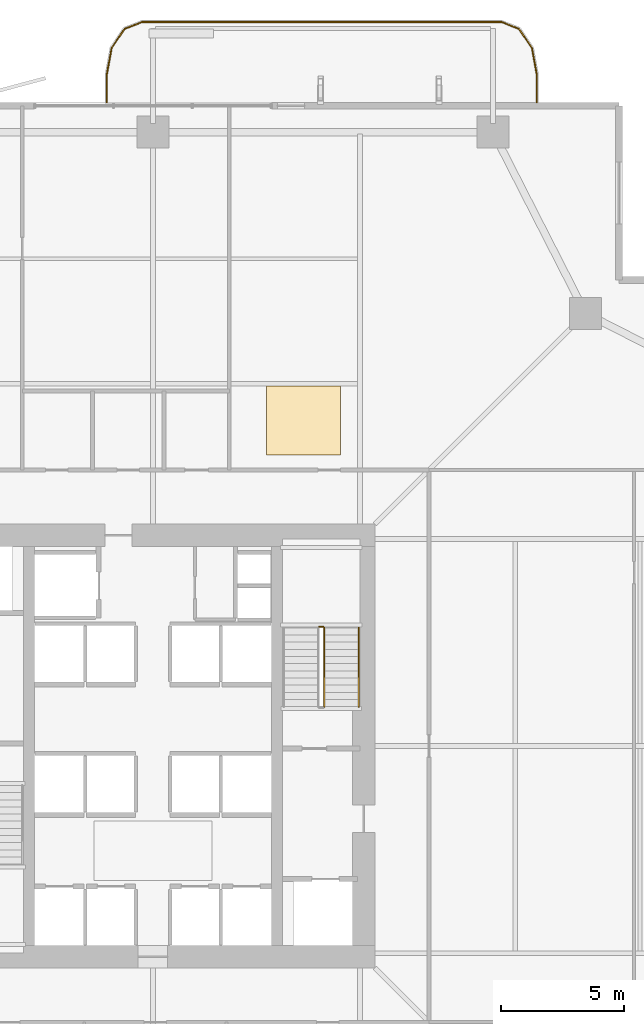
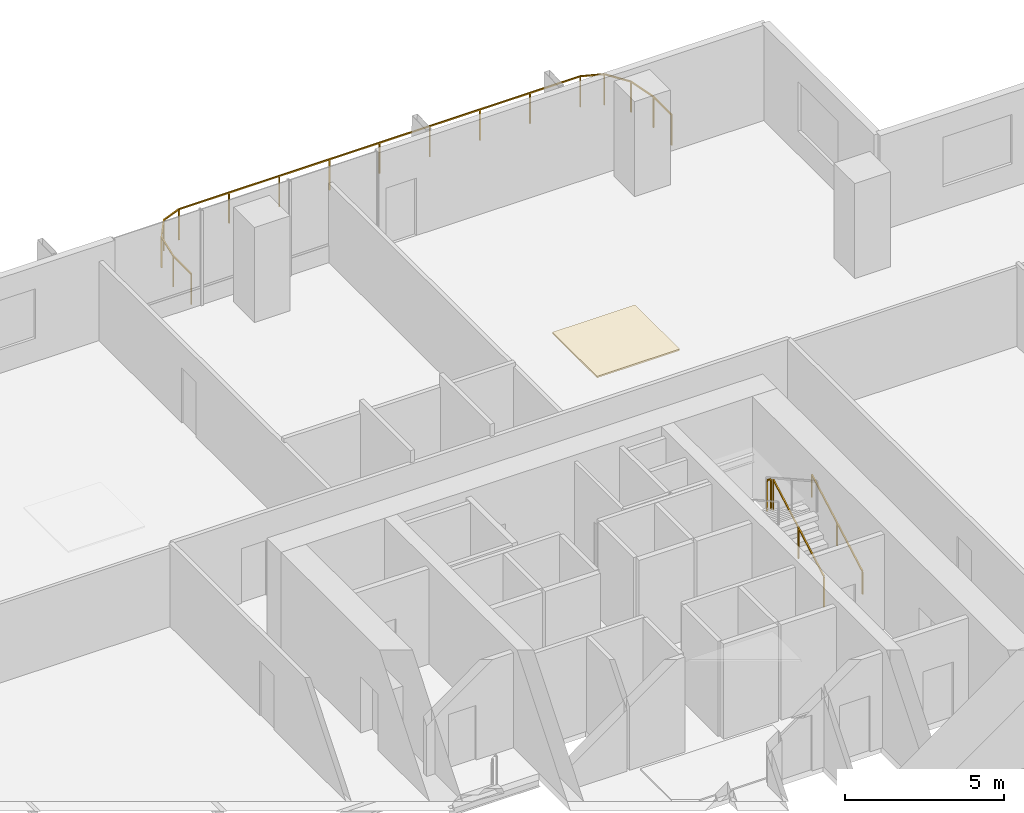
# One storey, part 23 of 23: 4 railings, 1 covering.
"""IFC4 building model written with IfcOpenShell, lengths in metres."""

from ifc_helpers import new_model, si_unit, direction, frame, origin, origin_2d, place, context, subcontext, project, spatial, polyline, rectangle, outline, extrude, material, layer, layer_set, type_object, element, save


model = new_model("IFC4")

# Units and contexts
model_context = context("Model", 3, precision=1e-05, world=origin(), true_north=direction((0.0, 1.0)))
body_context = subcontext(model_context, "Body", "Model", "MODEL_VIEW")
ifc_project = project(units=[si_unit("LENGTHUNIT", "METRE"), si_unit("AREAUNIT", "SQUARE_METRE"), si_unit("VOLUMEUNIT", "CUBIC_METRE"), si_unit("PLANEANGLEUNIT", "RADIAN"), si_unit("MASSUNIT", "GRAM", prefix="KILO")], contexts=[model_context])

# Site, building, storey
site_placement = place(None, origin())
site = spatial("IfcSite", under=ifc_project, at=site_placement, CompositionType="ELEMENT")
building_placement = place(site_placement, origin())
building = spatial("IfcBuilding", under=site, at=building_placement, Name="Belovzor Exchange Tower", CompositionType="ELEMENT")
storey_placement = place(building_placement, frame((0.0, 0.0, 125.10009765625)))
storey = spatial("IfcBuildingStorey", under=building, at=storey_placement, Name="L30", CompositionType="ELEMENT", Elevation=125.10009765625)

# Railings
ifc_material_1 = material(Name="Stainless Steel Grade 304", Category="steel")
railing_type_1 = type_object("IfcRailingType", Name="Brushed Stainless Steel Stair Handrail 900", PredefinedType="HANDRAIL", material=ifc_material_1)
railing_1_placement = place(storey_placement, frame((37.14990234375, 30.39990234375, 0.162353515625)))
element("IfcRailing", 1, at=railing_1_placement, inside=storey, type_object=railing_type_1, Name="L30 ST-2 stair handrail 1", PredefinedType="HANDRAIL", context=body_context, shape_type="SweptSolid", body=[
    extrude(rectangle(XDim=0.048095703125, YDim=0.048095703125, at=origin_2d()), frame((0.0, 0.0, 0.8759765625), z_axis=(0.0, 0.87237847985, 0.488831042279), x_axis=(-1.0, 0.0, 0.0)), (0.0, 0.0, 1.0), 3.656982421875),
    extrude(rectangle(XDim=0.0419921875, YDim=0.0419921875, at=origin_2d()), origin(), (0.0, 0.0, 1.0), 0.851806640625),
    extrude(rectangle(XDim=0.0419921875, YDim=0.0419921875, at=origin_2d()), frame((0.0, 1.59521484375, 0.893798828125)), (0.0, 0.0, 1.0), 0.851806640625),
    extrude(rectangle(XDim=0.0419921875, YDim=0.0419921875, at=origin_2d()), frame((0.0, 3.190185546875, 1.78759765625)), (0.0, 0.0, 1.0), 0.851806640625),
])
ifc_material_2 = material(Name="Stainless Steel and Laminated Safety Glass", Category="steel")
railing_type_2 = type_object("IfcRailingType", Name="Laminated Glass & Stainless Steel Balcony Balustrade 1200", PredefinedType="BALUSTRADE", material=ifc_material_2)
railing_2_placement = place(storey_placement, frame((44.3701171875, 54.909912109375, 0.0)))
element("IfcRailing", 2, at=railing_2_placement, inside=storey, type_object=railing_type_2, Name="GR-1 Balcony Balustrade L30 North", PredefinedType="BALUSTRADE", context=body_context, shape_type="SweptSolid", body=[
    extrude(rectangle(XDim=0.048095703125, YDim=0.048095703125, at=origin_2d()), frame((0.0, 0.0, 1.17578125), z_axis=(0.0, 1.0, 0.0), x_axis=(-1.0, 0.0, 0.0)), (0.0, 0.0, 1.0), 1.133056640625),
    extrude(rectangle(XDim=0.048095703125, YDim=0.048095703125, at=origin_2d()), frame((0.0, 1.133056640625, 1.17578125), z_axis=(-0.180122719713, 0.983644145941, 0.0), x_axis=(-0.983644145941, -0.180122719713, 0.0)), (0.0, 0.0, 1.0), 1.09375),
    extrude(rectangle(XDim=0.048095703125, YDim=0.048095703125, at=origin_2d()), frame((-0.197021484375, 2.208984375, 1.17578125), z_axis=(-0.56294695933, 0.826493025367, 0.0), x_axis=(-0.826493025367, -0.56294695933, 0.0)), (0.0, 0.0, 1.0), 0.932861328125),
    extrude(rectangle(XDim=0.048095703125, YDim=0.048095703125, at=origin_2d()), frame((-0.72216796875, 2.97998046875, 1.17578125), z_axis=(-0.930766990125, 0.365612923861, 0.0), x_axis=(-0.365612923861, -0.930766990125, 0.0)), (0.0, 0.0, 1.0), 0.765869140625),
    extrude(rectangle(XDim=0.048095703125, YDim=0.048095703125, at=origin_2d()), frame((-1.43505859375, 3.260009765625, 1.17578125), z_axis=(-1.0, 0.0, 0.0), x_axis=(0.0, -1.0, 0.0)), (0.0, 0.0, 1.0), 14.570068359375),
    extrude(rectangle(XDim=0.048095703125, YDim=0.048095703125, at=origin_2d()), frame((-16.005126953125, 3.260009765625, 1.17578125), z_axis=(-0.930766990125, -0.365612923861, 0.0), x_axis=(0.365612923861, -0.930766990125, 0.0)), (0.0, 0.0, 1.0), 0.765869140625),
    extrude(rectangle(XDim=0.048095703125, YDim=0.048095703125, at=origin_2d()), frame((-16.718017578125, 2.97998046875, 1.17578125), z_axis=(-0.56294695933, -0.826493025367, 0.0), x_axis=(0.826493025367, -0.56294695933, 0.0)), (0.0, 0.0, 1.0), 0.932861328125),
    extrude(rectangle(XDim=0.048095703125, YDim=0.048095703125, at=origin_2d()), frame((-17.2431640625, 2.208984375, 1.17578125), z_axis=(-0.180122719713, -0.983644145941, 0.0), x_axis=(0.983644145941, -0.180122719713, 0.0)), (0.0, 0.0, 1.0), 1.09375),
    extrude(rectangle(XDim=0.048095703125, YDim=0.048095703125, at=origin_2d()), frame((-17.440185546875, 1.133056640625, 1.17578125), z_axis=(0.0, -1.0, 0.0), x_axis=(1.0, 0.0, 0.0)), (0.0, 0.0, 1.0), 1.133056640625),
    extrude(rectangle(XDim=0.0419921875, YDim=0.0419921875, at=origin_2d()), origin(), (0.0, 0.0, 1.0), 1.15185546875),
    extrude(rectangle(XDim=0.0419921875, YDim=0.0419921875, at=origin_2d()), frame((0.0, 1.133056640625, 0.0)), (0.0, 0.0, 1.0), 1.15185546875),
    extrude(rectangle(XDim=0.0419921875, YDim=0.0419921875, at=origin_2d()), frame((-0.197021484375, 2.208984375, 0.0)), (0.0, 0.0, 1.0), 1.15185546875),
    extrude(rectangle(XDim=0.0419921875, YDim=0.0419921875, at=origin_2d()), frame((-0.72216796875, 2.97998046875, 0.0)), (0.0, 0.0, 1.0), 1.15185546875),
    extrude(rectangle(XDim=0.0419921875, YDim=0.0419921875, at=origin_2d()), frame((-1.43505859375, 3.260009765625, 0.0)), (0.0, 0.0, 1.0), 1.15185546875),
    extrude(rectangle(XDim=0.0419921875, YDim=0.0419921875, at=origin_2d()), frame((-3.25634765625, 3.260009765625, 0.0)), (0.0, 0.0, 1.0), 1.15185546875),
    extrude(rectangle(XDim=0.0419921875, YDim=0.0419921875, at=origin_2d()), frame((-5.07763671875, 3.260009765625, 0.0)), (0.0, 0.0, 1.0), 1.15185546875),
    extrude(rectangle(XDim=0.0419921875, YDim=0.0419921875, at=origin_2d()), frame((-6.89892578125, 3.260009765625, 0.0)), (0.0, 0.0, 1.0), 1.15185546875),
    extrude(rectangle(XDim=0.0419921875, YDim=0.0419921875, at=origin_2d()), frame((-8.72021484375, 3.260009765625, 0.0)), (0.0, 0.0, 1.0), 1.15185546875),
    extrude(rectangle(XDim=0.0419921875, YDim=0.0419921875, at=origin_2d()), frame((-10.541259765625, 3.260009765625, 0.0)), (0.0, 0.0, 1.0), 1.15185546875),
    extrude(rectangle(XDim=0.0419921875, YDim=0.0419921875, at=origin_2d()), frame((-12.362548828125, 3.260009765625, 0.0)), (0.0, 0.0, 1.0), 1.15185546875),
    extrude(rectangle(XDim=0.0419921875, YDim=0.0419921875, at=origin_2d()), frame((-14.183837890625, 3.260009765625, 0.0)), (0.0, 0.0, 1.0), 1.15185546875),
    extrude(rectangle(XDim=0.0419921875, YDim=0.0419921875, at=origin_2d()), frame((-16.005126953125, 3.260009765625, 0.0)), (0.0, 0.0, 1.0), 1.15185546875),
    extrude(rectangle(XDim=0.0419921875, YDim=0.0419921875, at=origin_2d()), frame((-16.718017578125, 2.97998046875, 0.0)), (0.0, 0.0, 1.0), 1.15185546875),
    extrude(rectangle(XDim=0.0419921875, YDim=0.0419921875, at=origin_2d()), frame((-17.2431640625, 2.208984375, 0.0)), (0.0, 0.0, 1.0), 1.15185546875),
    extrude(rectangle(XDim=0.0419921875, YDim=0.0419921875, at=origin_2d()), frame((-17.440185546875, 1.133056640625, 0.0)), (0.0, 0.0, 1.0), 1.15185546875),
    extrude(rectangle(XDim=0.0419921875, YDim=0.0419921875, at=origin_2d()), frame((-17.440185546875, 0.0, 0.0)), (0.0, 0.0, 1.0), 1.15185546875),
])
ifc_material_3 = material(Name="Steel S355", Category="steel")
railing_type_3 = type_object("IfcRailingType", Name="Painted Steel Stairwell Guardrail 1200", PredefinedType="GUARDRAIL", material=ifc_material_3)
railing_3_placement = place(storey_placement, frame((35.75, 30.39990234375, 0.162353515625)))
element("IfcRailing", 3, at=railing_3_placement, inside=storey, type_object=railing_type_3, Name="L30 ST-2 stair guard 1", PredefinedType="GUARDRAIL", context=body_context, shape_type="SweptSolid", body=[
    extrude(rectangle(XDim=0.048095703125, YDim=0.048095703125, at=origin_2d()), frame((0.0, 0.0, 1.17578125), z_axis=(0.0, 0.87237847985, 0.488831042279), x_axis=(-1.0, 0.0, 0.0)), (0.0, 0.0, 1.0), 3.656982421875),
    extrude(rectangle(XDim=0.0419921875, YDim=0.0419921875, at=origin_2d()), origin(), (0.0, 0.0, 1.0), 1.15185546875),
    extrude(rectangle(XDim=0.0419921875, YDim=0.0419921875, at=origin_2d()), frame((0.0, 1.59521484375, 0.893798828125)), (0.0, 0.0, 1.0), 1.15185546875),
    extrude(rectangle(XDim=0.0419921875, YDim=0.0419921875, at=origin_2d()), frame((0.0, 3.190185546875, 1.78759765625)), (0.0, 0.0, 1.0), 1.15185546875),
])
railing_4_placement = place(storey_placement, frame((35.699951171875, 33.639892578125, 1.949951171875)))
element("IfcRailing", 4, at=railing_4_placement, inside=storey, type_object=railing_type_3, Name="L30 ST-2 stair guard 2", PredefinedType="GUARDRAIL", context=body_context, shape_type="SweptSolid", body=[
    extrude(rectangle(XDim=0.048095703125, YDim=0.048095703125, at=origin_2d()), frame((0.0, 0.0, 1.17578125), z_axis=(-1.0, 0.0, 0.0), x_axis=(0.0, -1.0, 0.0)), (0.0, 0.0, 1.0), 0.14990234375),
    extrude(rectangle(XDim=0.0419921875, YDim=0.0419921875, at=origin_2d()), origin(), (0.0, 0.0, 1.0), 1.15185546875),
    extrude(rectangle(XDim=0.0419921875, YDim=0.0419921875, at=origin_2d()), frame((-0.14990234375, 0.0, 0.0)), (0.0, 0.0, 1.0), 1.15185546875),
])

# Covering
ifc_material_4 = material(Name="Perforated Powder-Coated Aluminium", Category="aluminium")
ifc_layer = layer(ifc_material_4, 0.06005859375)
ifc_layer_set = layer_set([ifc_layer], Name="Perforated Powder-Coated Aluminium")
covering_type = type_object("IfcCoveringType", Name="Perforated Acoustic Metal Tile Suspended Ceiling 60", PredefinedType="CEILING", material=ifc_layer_set)
covering_placement = place(storey_placement, frame((0.0, 0.0, 3.58984375)))
element("IfcCovering", 5, at=covering_placement, inside=storey, type_object=covering_type, Name="CLG-AC60 Suspended Ceiling CLG-L30-Z2", PredefinedType="CEILING", context=body_context, shape_type="SweptSolid", body=[
    extrude(outline(polyline([(33.39990234375, 40.60009765625), (36.39990234375, 40.60009765625), (36.39990234375, 43.39990234375), (33.39990234375, 43.39990234375), (33.39990234375, 40.60009765625)])), origin(), (0.0, 0.0, 1.0), 0.06005859375),
])

save(model, "model.ifc")
